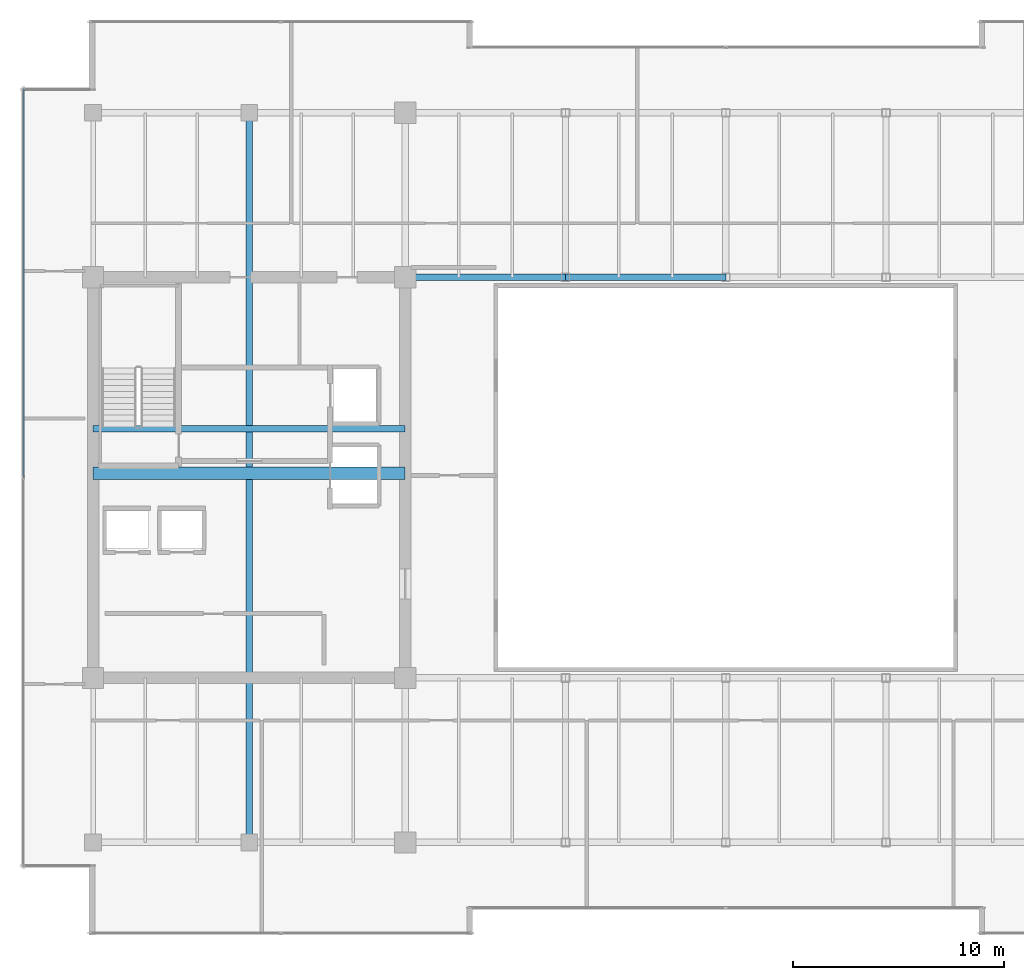
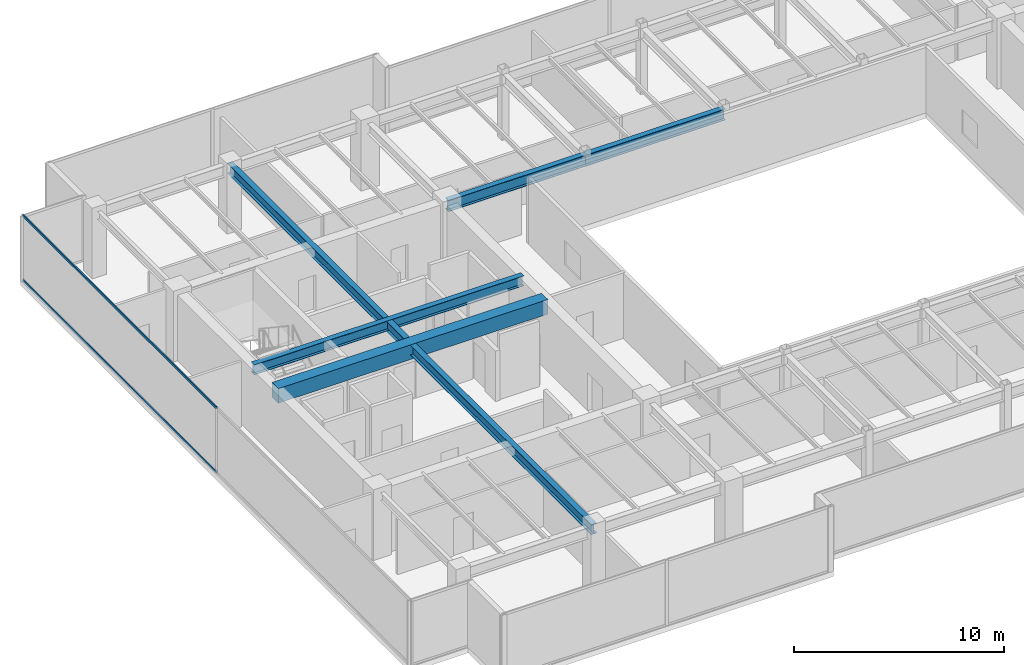
# One storey, part 10 of 33: 5 beams, 2 members, 1 element without a shape of its own.
"""IFC4 building model written with IfcOpenShell, lengths in metres."""

from ifc_helpers import new_model, si_unit, direction, frame, origin, origin_2d, place, context, subcontext, project, spatial, rectangle, hollow_rectangle, i_section, extrude, source, transform, mapped, material, layer, layer_set, material_profile, profile_set, type_object, type_shapes, element, aggregate, save


model = new_model("IFC4")

# Units and contexts
model_context = context("Model", 3, precision=1e-05, world=origin(), true_north=direction((0.0, 1.0)))
body_context = subcontext(model_context, "Body", "Model", "MODEL_VIEW")
ifc_project = project(units=[si_unit("LENGTHUNIT", "METRE"), si_unit("AREAUNIT", "SQUARE_METRE"), si_unit("VOLUMEUNIT", "CUBIC_METRE"), si_unit("PLANEANGLEUNIT", "RADIAN"), si_unit("MASSUNIT", "GRAM", prefix="KILO")], contexts=[model_context])

# Site, building, storey
site_placement = place(None, origin())
site = spatial("IfcSite", under=ifc_project, at=site_placement, CompositionType="ELEMENT")
building_placement = place(site_placement, origin())
building = spatial("IfcBuilding", under=site, at=building_placement, Name="Haelvirn Gate Laboratories", CompositionType="ELEMENT")
storey_placement = place(building_placement, frame((0.0, 0.0, 250.60009765625)))
storey = spatial("IfcBuildingStorey", under=building, at=storey_placement, Name="L60", CompositionType="ELEMENT", Elevation=250.60009765625)

# Beams
ifc_material_1 = material(Name="Steel SM355", Category="steel")
ifc_material_profile_1 = material_profile(ifc_material_1, i_section(OverallWidth=0.300048828125, OverallDepth=0.587890625, WebThickness=0.011962890625, FlangeThickness=0.02001953125, at=origin_2d()), Name="H-588x300x12x20")
ifc_profile_set_1 = profile_set([ifc_material_profile_1], Name="Steel SM355")
beam_type_1 = type_object("IfcBeamType", Name="BM-G-588", PredefinedType="BEAM", material=ifc_profile_set_1)
shared_shape_1 = source(origin(), body_context, "Body", "SweptSolid", [
    extrude(i_section(OverallWidth=0.300048828125, OverallDepth=0.587890625, WebThickness=0.011962890625, FlangeThickness=0.02001953125, at=origin_2d()), origin(), (0.0, 0.0, 1.0), 14.800048828125),
])
beam_1_placement = place(storey_placement, frame((7.39990234375, 26.6201171875, 3.505859375), z_axis=(1.0, 0.0, 0.0), x_axis=(0.0, 1.0, 0.0)))
element("IfcBeam", 1, at=beam_1_placement, inside=storey, type_object=beam_type_1, Name="L60 Stair ST1 Landing Header", PredefinedType="BEAM", context=body_context, shape_type="MappedRepresentation", body=[
    mapped(shared_shape_1, transform((0.0, 0.0, 0.0), scale=1.0)),
])
shared_shape_2 = source(origin(), body_context, "Body", "SweptSolid", [
    extrude(i_section(OverallWidth=0.300048828125, OverallDepth=0.587890625, WebThickness=0.011962890625, FlangeThickness=0.02001953125, at=origin_2d()), origin(), (0.0, 0.0, 1.0), 34.60009765625),
])
type_shapes(beam_type_1, [shared_shape_1, shared_shape_2])
beam_2_placement = place(storey_placement, frame((14.800048828125, 7.0, 3.505859375), z_axis=(0.0, 1.0, 0.0), x_axis=(-1.0, 0.0, 0.0)))
element("IfcBeam", 2, at=beam_2_placement, inside=storey, type_object=beam_type_1, Name="L60 Frame Girder X14.8 (7.0-41.6)", PredefinedType="BEAM", context=body_context, shape_type="MappedRepresentation", body=[
    mapped(shared_shape_2, transform((0.0, 0.0, 0.0), scale=1.0)),
])
ifc_material_2 = material(Name="Concrete C50/60", Category="concrete")
ifc_material_profile_2 = material_profile(ifc_material_2, rectangle(XDim=0.60009765625, YDim=0.85009765625, at=origin_2d()), Name="RCB-600x850")
ifc_profile_set_2 = profile_set([ifc_material_profile_2], Name="Concrete C50/60")
beam_type_2 = type_object("IfcBeamType", Name="BM-RCB-850", PredefinedType="LINTEL", material=ifc_profile_set_2)
shared_shape_3 = source(origin(), body_context, "Body", "SweptSolid", [
    extrude(rectangle(XDim=0.60009765625, YDim=0.85009765625, at=origin_2d()), origin(), (0.0, 0.0, 1.0), 14.800048828125),
])
type_shapes(beam_type_2, [shared_shape_3])
beam_3_placement = place(storey_placement, frame((7.39990234375, 24.5, 3.375), z_axis=(1.0, 0.0, 0.0), x_axis=(0.0, 1.0, 0.0)))
element("IfcBeam", 3, at=beam_3_placement, inside=storey, type_object=beam_type_2, Name="L60 West Core Coupling Beam", PredefinedType="LINTEL", context=body_context, shape_type="MappedRepresentation", body=[
    mapped(shared_shape_3, transform((0.0, 0.0, 0.0), scale=1.0)),
])
ifc_material_profile_3 = material_profile(ifc_material_1, i_section(OverallWidth=0.300048828125, OverallDepth=0.64990234375, WebThickness=0.012939453125, FlangeThickness=0.02197265625, at=origin_2d()), Name="H-650x300x13x22")
ifc_profile_set_3 = profile_set([ifc_material_profile_3], Name="Steel SM355")
beam_type_3 = type_object("IfcBeamType", Name="BM-G-650", PredefinedType="BEAM", material=ifc_profile_set_3)
shared_shape_4 = source(origin(), body_context, "Body", "SweptSolid", [
    extrude(i_section(OverallWidth=0.300048828125, OverallDepth=0.64990234375, WebThickness=0.012939453125, FlangeThickness=0.02197265625, at=origin_2d()), origin(), (0.0, 0.0, 1.0), 7.60009765625),
])
beam_4_placement = place(storey_placement, frame((22.199951171875, 33.800048828125, 3.474853515625), z_axis=(1.0, 0.0, 0.0), x_axis=(0.0, 1.0, 0.0)))
element("IfcBeam", 4, at=beam_4_placement, inside=storey, type_object=beam_type_3, Name="L60 Primary Girder Y33.8 (22.2-29.8)", PredefinedType="BEAM", context=body_context, shape_type="MappedRepresentation", body=[
    mapped(shared_shape_4, transform((0.0, 0.0, 0.0), scale=1.0)),
])
shared_shape_5 = source(origin(), body_context, "Body", "SweptSolid", [
    extrude(i_section(OverallWidth=0.300048828125, OverallDepth=0.64990234375, WebThickness=0.012939453125, FlangeThickness=0.02197265625, at=origin_2d()), origin(), (0.0, 0.0, 1.0), 7.599853515625),
])
type_shapes(beam_type_3, [shared_shape_4, shared_shape_5])
beam_5_placement = place(storey_placement, frame((29.800048828125, 33.800048828125, 3.474853515625), z_axis=(1.0, 0.0, 0.0), x_axis=(0.0, 1.0, 0.0)))
element("IfcBeam", 5, at=beam_5_placement, inside=storey, type_object=beam_type_3, Name="L60 Primary Girder Y33.8 (29.8-37.4)", PredefinedType="BEAM", context=body_context, shape_type="MappedRepresentation", body=[
    mapped(shared_shape_5, transform((0.0, 0.0, 0.0), scale=1.0)),
])

# Curtain wall, members
ifc_material_3 = material(Name="Anodised bronze unitised aluminium & triple low-E glass", Category="aluminium")
ifc_layer = layer(ifc_material_3, 0.176025390625, Name="CW-SYS-4")
ifc_layer_set = layer_set([ifc_layer], Name="Anodised bronze unitised aluminium & triple low-E glass")
curtain_wall_type = type_object("IfcCurtainWallType", Name="CW-SYS-4", PredefinedType="NOTDEFINED", material=ifc_layer_set)
curtain_wall_placement = place(storey_placement, origin())
curtain_wall = element("IfcCurtainWall", 6, at=curtain_wall_placement, inside=storey, type_object=curtain_wall_type, Name="L60 Unitised Curtain Wall CW-L60-P0-E17", PredefinedType="NOTDEFINED")
ifc_material_4 = material(Name="Extruded aluminium 6063-T6 (anodised bronze)", Category="aluminium")
ifc_material_profile_4 = material_profile(ifc_material_4, hollow_rectangle(XDim=0.06494140625, YDim=0.139892578125, WallThickness=0.00390625, at=origin_2d()), Name="CWT-140x65x4")
ifc_profile_set_4 = profile_set([ifc_material_profile_4], Name="Extruded aluminium 6063-T6 (anodised bronze)")
member_type = type_object("IfcMemberType", Name="CWT-T140", PredefinedType="USERDEFINED", material=ifc_profile_set_4)
shared_shape_6 = source(origin(), body_context, "Body", "SweptSolid", [
    extrude(hollow_rectangle(XDim=0.06494140625, YDim=0.139892578125, WallThickness=0.00390625, at=origin_2d()), origin(), (0.0, 0.0, 1.0), 18.39501953125),
])
type_shapes(member_type, [shared_shape_6])
member_1_placement = place(storey_placement, frame((4.10009765625, 42.72998046875, 0.032470703125), z_axis=(0.0, -1.0, 0.0), x_axis=(1.0, 0.0, 0.0)))
member_1 = element("IfcMember", 7, at=member_1_placement, type_object=member_type, Name="CW4 transom 1.1", ObjectType="TRANSOM", PredefinedType="USERDEFINED", context=body_context, shape_type="MappedRepresentation", body=[
    mapped(shared_shape_6, transform((0.0, 0.0, 0.0), scale=1.0)),
])
member_2_placement = place(storey_placement, frame((4.10009765625, 42.72998046875, 3.767333984375), z_axis=(0.0, -1.0, 0.0), x_axis=(1.0, 0.0, 0.0)))
member_2 = element("IfcMember", 8, at=member_2_placement, type_object=member_type, Name="CW4 transom 1.2", ObjectType="TRANSOM", PredefinedType="USERDEFINED", context=body_context, shape_type="MappedRepresentation", body=[
    mapped(shared_shape_6, transform((0.0, 0.0, 0.0), scale=1.0)),
])
aggregate(curtain_wall, [member_1, member_2])

save(model, "model.ifc")
